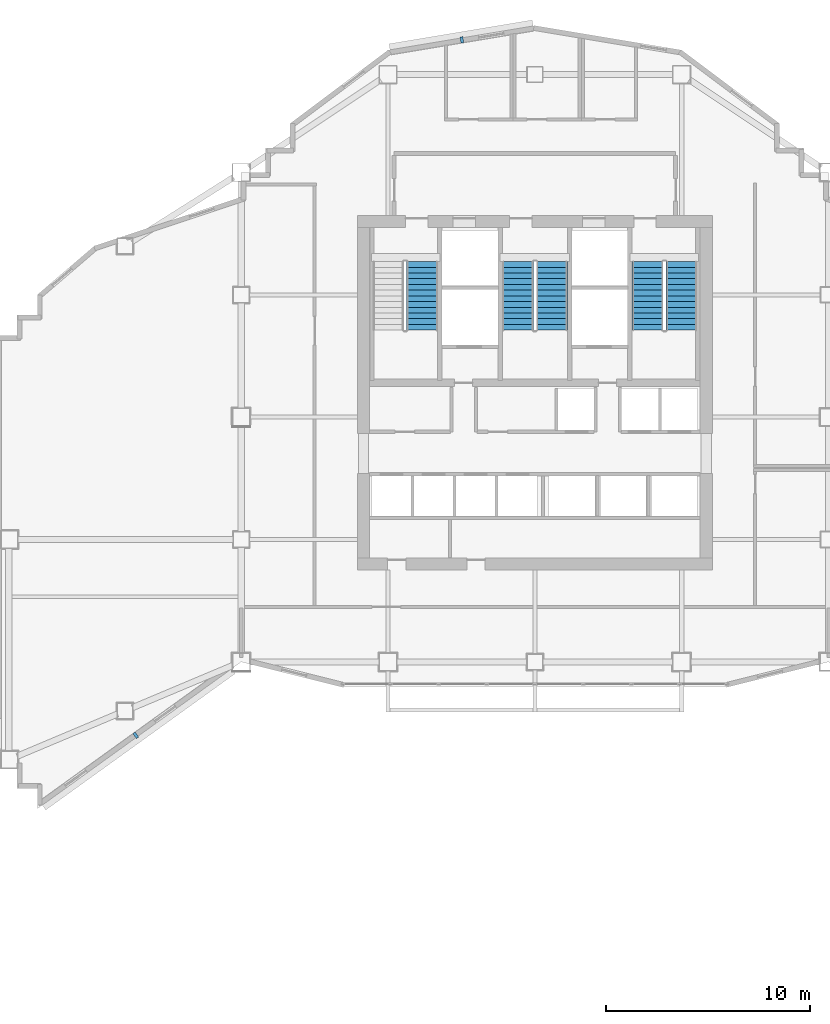
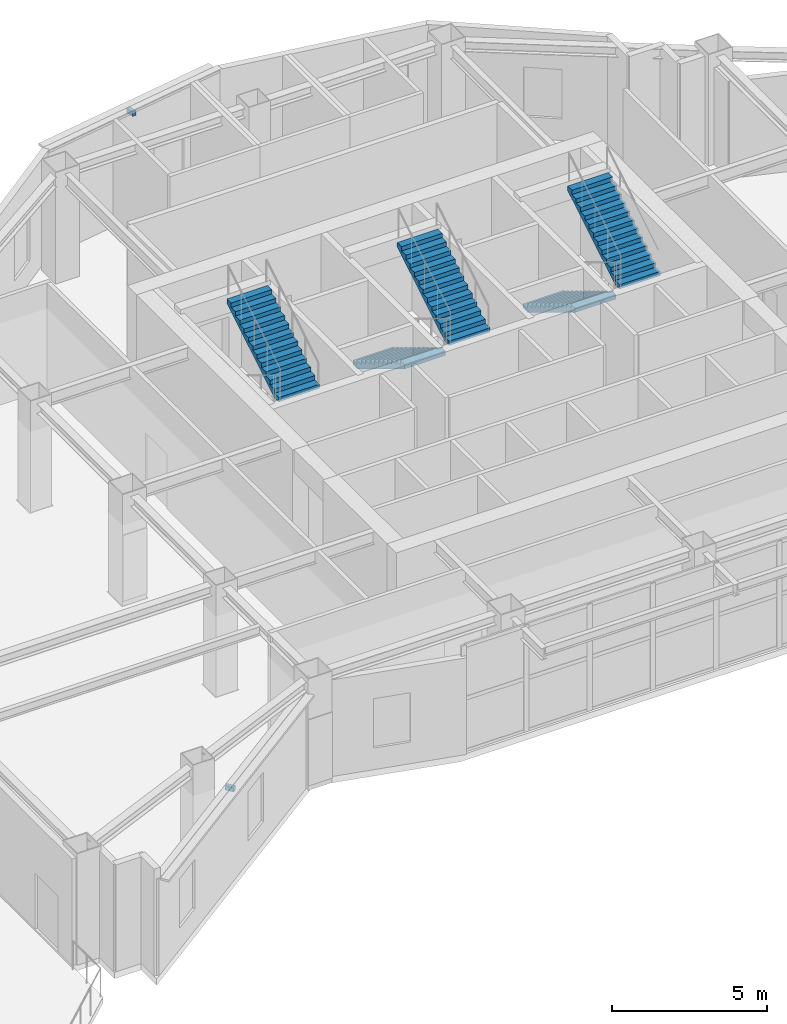
# One storey, part 12 of 16: 5 stair flights, 2 discrete accessories, 3 elements without a shape of their own.
"""IFC4 building model written with IfcOpenShell, lengths in metres."""

from ifc_helpers import new_model, si_unit, direction, frame, origin, origin_2d, place, context, subcontext, project, spatial, polyline, rectangle, outline, extrude, material, type_object, element, aggregate, save


model = new_model("IFC4")

# Units and contexts
model_context = context("Model", 3, precision=1e-05, world=origin(), true_north=direction((0.0, 1.0)))
body_context = subcontext(model_context, "Body", "Model", "MODEL_VIEW")
ifc_project = project(units=[si_unit("LENGTHUNIT", "METRE"), si_unit("AREAUNIT", "SQUARE_METRE"), si_unit("VOLUMEUNIT", "CUBIC_METRE"), si_unit("PLANEANGLEUNIT", "RADIAN"), si_unit("MASSUNIT", "GRAM", prefix="KILO")], contexts=[model_context])

# Site, building, storey
site_placement = place(None, origin())
site = spatial("IfcSite", under=ifc_project, at=site_placement, CompositionType="ELEMENT")
building_placement = place(site_placement, origin())
building = spatial("IfcBuilding", under=site, at=building_placement, Name="Haolan Belvedere Tower", CompositionType="ELEMENT")
storey_placement = place(building_placement, frame((0.0, 0.0, 164.60009765625)))
storey = spatial("IfcBuildingStorey", under=building, at=storey_placement, Name="L41", CompositionType="ELEMENT", Elevation=164.60009765625)

# Stair, stair flight
ifc_material_1 = material(Name="Concrete C40/50", Category="concrete")
stair_type = type_object("IfcStairType", Name="STR-DL-26R-169", PredefinedType="HALF_TURN_STAIR", material=ifc_material_1)
stair_1_placement = place(storey_placement, origin())
stair_1 = element("IfcStair", 1, at=stair_1_placement, inside=storey, type_object=stair_type, Name="L41 Smokeproof Core Exit Stair ST1", PredefinedType="HALF_TURN_STAIR")
stair_flight_type = type_object("IfcStairFlightType", Name="SFL-DL-13R-169", PredefinedType="STRAIGHT", material=ifc_material_1)
stair_flight_1_placement = place(storey_placement, frame((32.8701171875, 37.8701171875, 2.199951171875), z_axis=(0.0, 0.0, 1.0), x_axis=(0.0, 1.0, 0.0)))
stair_flight_1 = element("IfcStairFlight", 2, at=stair_flight_1_placement, type_object=stair_flight_type, Name="ST1 flight 2", NumberOfRisers=13, NumberOfTreads=12, PredefinedType="STRAIGHT", RiserHeight=0.169230769, TreadLength=0.28, context=body_context, shape_type="SweptSolid", body=[
    extrude(outline(polyline([(0.0, 0.0), (0.0, 0.169189453125), (0.280029296875, 0.169189453125), (0.280029296875, 0.33837890625), (0.56005859375, 0.33837890625), (0.56005859375, 0.5078125), (0.840087890625, 0.5078125), (0.840087890625, 0.677001953125), (1.1201171875, 0.677001953125), (1.1201171875, 0.84619140625), (1.39990234375, 0.84619140625), (1.39990234375, 1.015380859375), (1.679931640625, 1.015380859375), (1.679931640625, 1.1845703125), (1.9599609375, 1.1845703125), (1.9599609375, 1.353759765625), (2.239990234375, 1.353759765625), (2.239990234375, 1.523193359375), (2.52001953125, 1.523193359375), (2.52001953125, 1.6923828125), (2.800048828125, 1.6923828125), (2.800048828125, 1.861572265625), (3.080078125, 1.861572265625), (3.080078125, 2.03076171875), (3.360107421875, 2.03076171875), (3.360107421875, 2.199951171875), (3.360107421875, 1.855712890625), (0.289794921875, 0.0), (0.0, 0.0)])), frame((0.0, 0.760009765625, 0.0), z_axis=(0.0, -1.0, 0.0), x_axis=(1.0, 0.0, 0.0)), (0.0, 0.0, 1.0), 1.52001953125),
])
aggregate(stair_1, [stair_flight_1])

# Stair, stair flights
stair_2_placement = place(storey_placement, origin())
stair_2 = element("IfcStair", 3, at=stair_2_placement, inside=storey, type_object=stair_type, Name="L41 Smokeproof Core Exit Stair ST3", PredefinedType="HALF_TURN_STAIR")
stair_flight_2_placement = place(storey_placement, frame((37.570068359375, 41.22998046875, 0.0), z_axis=(0.0, 0.0, 1.0), x_axis=(0.0, -1.0, 0.0)))
stair_flight_2 = element("IfcStairFlight", 4, at=stair_flight_2_placement, type_object=stair_flight_type, Name="ST3 flight 1", NumberOfRisers=13, NumberOfTreads=12, PredefinedType="STRAIGHT", RiserHeight=0.169230769, TreadLength=0.28, context=body_context, shape_type="SweptSolid", body=[
    extrude(outline(polyline([(0.0, 0.0), (0.0, 0.169189453125), (0.280029296875, 0.169189453125), (0.280029296875, 0.33837890625), (0.56005859375, 0.33837890625), (0.56005859375, 0.5078125), (0.840087890625, 0.5078125), (0.840087890625, 0.677001953125), (1.1201171875, 0.677001953125), (1.1201171875, 0.84619140625), (1.39990234375, 0.84619140625), (1.39990234375, 1.015380859375), (1.679931640625, 1.015380859375), (1.679931640625, 1.1845703125), (1.9599609375, 1.1845703125), (1.9599609375, 1.353759765625), (2.239990234375, 1.353759765625), (2.239990234375, 1.523193359375), (2.52001953125, 1.523193359375), (2.52001953125, 1.6923828125), (2.800048828125, 1.6923828125), (2.800048828125, 1.861572265625), (3.080078125, 1.861572265625), (3.080078125, 2.03076171875), (3.360107421875, 2.03076171875), (3.360107421875, 2.199951171875), (3.360107421875, 1.855712890625), (0.289794921875, 0.0), (0.0, 0.0)])), frame((0.0, 0.760009765625, 0.0), z_axis=(0.0, -1.0, 0.0), x_axis=(1.0, 0.0, 0.0)), (0.0, 0.0, 1.0), 1.52001953125),
])
stair_flight_3_placement = place(storey_placement, frame((39.22998046875, 37.8701171875, 2.199951171875), z_axis=(0.0, 0.0, 1.0), x_axis=(0.0, 1.0, 0.0)))
stair_flight_3 = element("IfcStairFlight", 5, at=stair_flight_3_placement, type_object=stair_flight_type, Name="ST3 flight 2", NumberOfRisers=13, NumberOfTreads=12, PredefinedType="STRAIGHT", RiserHeight=0.169230769, TreadLength=0.28, context=body_context, shape_type="SweptSolid", body=[
    extrude(outline(polyline([(0.0, 0.0), (0.0, 0.169189453125), (0.280029296875, 0.169189453125), (0.280029296875, 0.33837890625), (0.56005859375, 0.33837890625), (0.56005859375, 0.5078125), (0.840087890625, 0.5078125), (0.840087890625, 0.677001953125), (1.1201171875, 0.677001953125), (1.1201171875, 0.84619140625), (1.39990234375, 0.84619140625), (1.39990234375, 1.015380859375), (1.679931640625, 1.015380859375), (1.679931640625, 1.1845703125), (1.9599609375, 1.1845703125), (1.9599609375, 1.353759765625), (2.239990234375, 1.353759765625), (2.239990234375, 1.523193359375), (2.52001953125, 1.523193359375), (2.52001953125, 1.6923828125), (2.800048828125, 1.6923828125), (2.800048828125, 1.861572265625), (3.080078125, 1.861572265625), (3.080078125, 2.03076171875), (3.360107421875, 2.03076171875), (3.360107421875, 2.199951171875), (3.360107421875, 1.855712890625), (0.289794921875, 0.0), (0.0, 0.0)])), frame((0.0, 0.760009765625, 0.0), z_axis=(0.0, -1.0, 0.0), x_axis=(1.0, 0.0, 0.0)), (0.0, 0.0, 1.0), 1.52001953125),
])
aggregate(stair_2, [stair_flight_2, stair_flight_3])

stair_3_placement = place(storey_placement, origin())
stair_3 = element("IfcStair", 6, at=stair_3_placement, inside=storey, type_object=stair_type, Name="L41 Smokeproof Core Exit Stair ST2", PredefinedType="HALF_TURN_STAIR")
stair_flight_4_placement = place(storey_placement, frame((43.929931640625, 41.22998046875, 0.0), z_axis=(0.0, 0.0, 1.0), x_axis=(0.0, -1.0, 0.0)))
stair_flight_4 = element("IfcStairFlight", 7, at=stair_flight_4_placement, type_object=stair_flight_type, Name="ST2 flight 1", NumberOfRisers=13, NumberOfTreads=12, PredefinedType="STRAIGHT", RiserHeight=0.169230769, TreadLength=0.28, context=body_context, shape_type="SweptSolid", body=[
    extrude(outline(polyline([(0.0, 0.0), (0.0, 0.169189453125), (0.280029296875, 0.169189453125), (0.280029296875, 0.33837890625), (0.56005859375, 0.33837890625), (0.56005859375, 0.5078125), (0.840087890625, 0.5078125), (0.840087890625, 0.677001953125), (1.1201171875, 0.677001953125), (1.1201171875, 0.84619140625), (1.39990234375, 0.84619140625), (1.39990234375, 1.015380859375), (1.679931640625, 1.015380859375), (1.679931640625, 1.1845703125), (1.9599609375, 1.1845703125), (1.9599609375, 1.353759765625), (2.239990234375, 1.353759765625), (2.239990234375, 1.523193359375), (2.52001953125, 1.523193359375), (2.52001953125, 1.6923828125), (2.800048828125, 1.6923828125), (2.800048828125, 1.861572265625), (3.080078125, 1.861572265625), (3.080078125, 2.03076171875), (3.360107421875, 2.03076171875), (3.360107421875, 2.199951171875), (3.360107421875, 1.855712890625), (0.289794921875, 0.0), (0.0, 0.0)])), frame((0.0, 0.760009765625, 0.0), z_axis=(0.0, -1.0, 0.0), x_axis=(1.0, 0.0, 0.0)), (0.0, 0.0, 1.0), 1.52001953125),
])
stair_flight_5_placement = place(storey_placement, frame((45.590087890625, 37.8701171875, 2.199951171875), z_axis=(0.0, 0.0, 1.0), x_axis=(0.0, 1.0, 0.0)))
stair_flight_5 = element("IfcStairFlight", 8, at=stair_flight_5_placement, type_object=stair_flight_type, Name="ST2 flight 2", NumberOfRisers=13, NumberOfTreads=12, PredefinedType="STRAIGHT", RiserHeight=0.169230769, TreadLength=0.28, context=body_context, shape_type="SweptSolid", body=[
    extrude(outline(polyline([(0.0, 0.0), (0.0, 0.169189453125), (0.280029296875, 0.169189453125), (0.280029296875, 0.33837890625), (0.56005859375, 0.33837890625), (0.56005859375, 0.5078125), (0.840087890625, 0.5078125), (0.840087890625, 0.677001953125), (1.1201171875, 0.677001953125), (1.1201171875, 0.84619140625), (1.39990234375, 0.84619140625), (1.39990234375, 1.015380859375), (1.679931640625, 1.015380859375), (1.679931640625, 1.1845703125), (1.9599609375, 1.1845703125), (1.9599609375, 1.353759765625), (2.239990234375, 1.353759765625), (2.239990234375, 1.523193359375), (2.52001953125, 1.523193359375), (2.52001953125, 1.6923828125), (2.800048828125, 1.6923828125), (2.800048828125, 1.861572265625), (3.080078125, 1.861572265625), (3.080078125, 2.03076171875), (3.360107421875, 2.03076171875), (3.360107421875, 2.199951171875), (3.360107421875, 1.855712890625), (0.289794921875, 0.0), (0.0, 0.0)])), frame((0.0, 0.760009765625, 0.0), z_axis=(0.0, -1.0, 0.0), x_axis=(1.0, 0.0, 0.0)), (0.0, 0.0, 1.0), 1.52001953125),
])
aggregate(stair_3, [stair_flight_4, stair_flight_5])

# Discrete accessories
ifc_material_2 = material(Name="Stainless steel 316L", Category="steel")
discrete_accessory_type = type_object("IfcDiscreteAccessoryType", Name="ACC-BRK-SUN", PredefinedType="BRACKET", material=ifc_material_2)
for number, where, z_axis, x_axis, name in (
    (9, (34.821044921875, 52.10205078125, 3.98974609375), (0.0, 0.0, 1.0), (-0.986394848329, -0.164393440227, 0.0), "L41 sunshade support bracket 22.1"),
    (10, (18.828369140625, 17.999755859375, 3.5849609375), (0.0, 0.0, 1.0), (0.811533191666, 0.584306322766, 0.0), "L41 sunshade support bracket 40.1"),
):
    element("IfcDiscreteAccessory", number, at=place(storey_placement, frame(where, z_axis=z_axis, x_axis=x_axis)), inside=storey, type_object=discrete_accessory_type, Name=name, PredefinedType="BRACKET", context=body_context, shape_type="SweptSolid", body=[
        extrude(rectangle(XDim=0.139892578125, YDim=0.300048828125, at=origin_2d()), origin(), (0.0, 0.0, 1.0), 0.179931640625),
    ])

save(model, "model.ifc")
